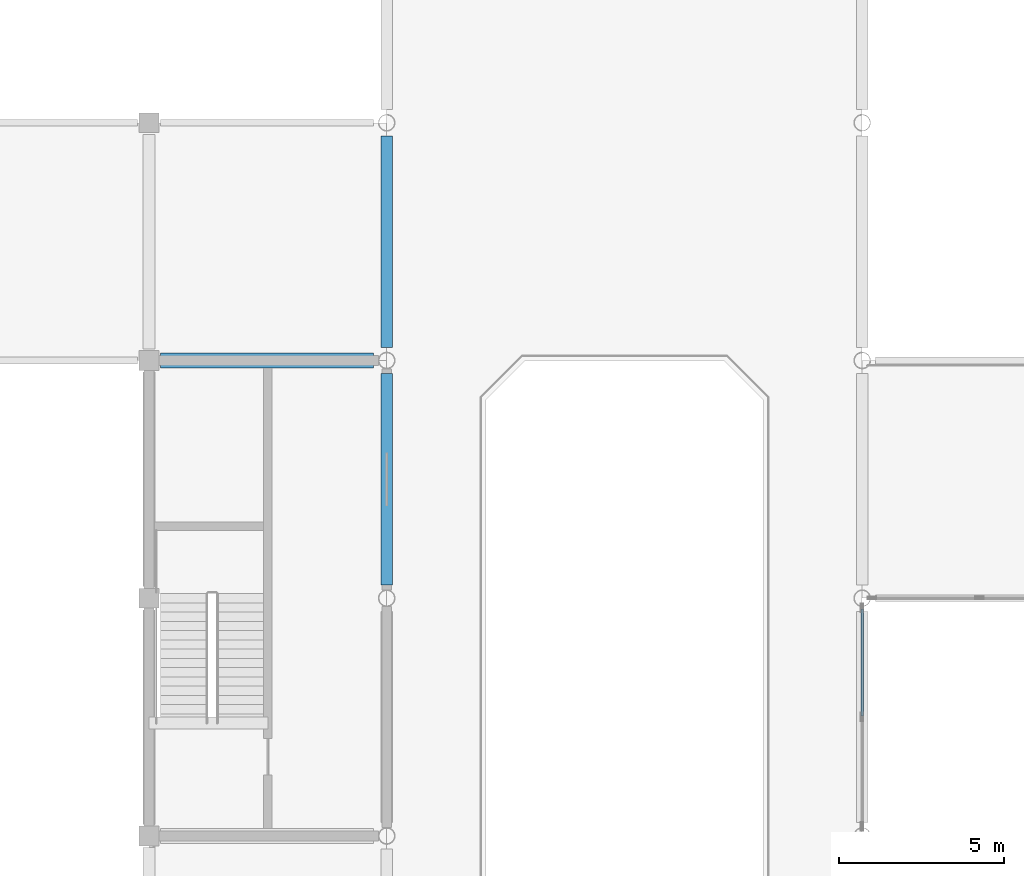
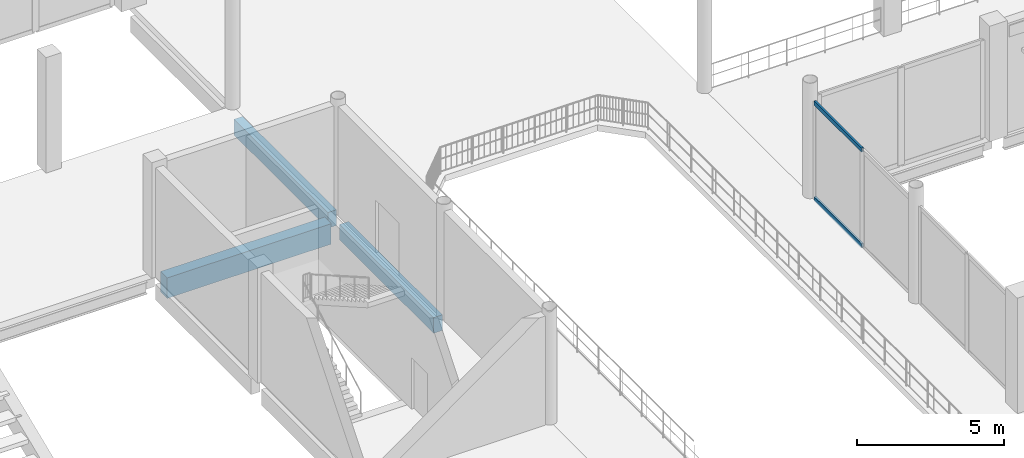
# One storey, part 36 of 99: 3 beams, 2 members, 1 element without a shape of its own.
"""IFC4 building model written with IfcOpenShell, lengths in metres."""

from ifc_helpers import new_model, si_unit, direction, frame, origin, origin_2d, place, context, subcontext, project, spatial, rectangle, hollow_rectangle, extrude, material, material_profile, profile_set, type_object, element, aggregate, save


model = new_model("IFC4")

# Units and contexts
model_context = context("Model", 3, precision=1e-05, world=origin(), true_north=direction((0.0, 1.0)))
body_context = subcontext(model_context, "Body", "Model", "MODEL_VIEW")
ifc_project = project(units=[si_unit("LENGTHUNIT", "METRE"), si_unit("AREAUNIT", "SQUARE_METRE"), si_unit("VOLUMEUNIT", "CUBIC_METRE"), si_unit("PLANEANGLEUNIT", "RADIAN"), si_unit("MASSUNIT", "GRAM", prefix="KILO")], contexts=[model_context])

# Site, building, storey
site_placement = place(None, origin())
site = spatial("IfcSite", under=ifc_project, at=site_placement, CompositionType="ELEMENT")
building_placement = place(site_placement, origin())
building = spatial("IfcBuilding", under=site, at=building_placement, Name="Vesperath Aquatics Centre", CompositionType="ELEMENT")
storey_placement = place(building_placement, frame((0.0, 0.0, 5.39990234375)))
storey = spatial("IfcBuildingStorey", under=building, at=storey_placement, Name="L01", CompositionType="ELEMENT", Elevation=5.39990234375)

# Beams
ifc_material_1 = material(Name="Concrete C35", Category="concrete")
ifc_material_profile_1 = material_profile(ifc_material_1, rectangle(XDim=0.449951171875, YDim=0.85009765625, at=origin_2d()), Name="RC 450x850")
ifc_profile_set_1 = profile_set([ifc_material_profile_1], Name="Concrete C35")
beam_type_1 = type_object("IfcBeamType", Name="BM-G03", PredefinedType="BEAM", material=ifc_profile_set_1)
beam_placement = place(storey_placement, frame((93.949951171875, 72.0, -0.684814453125), z_axis=(1.0, 0.0, 0.0), x_axis=(0.0, 1.0, 0.0)))
element("IfcBeam", 1, at=beam_placement, inside=storey, type_object=beam_type_1, Name="Floor Girder B03 L01 L 14-15", PredefinedType="BEAM", context=body_context, shape_type="SweptSolid", body=[
    extrude(rectangle(XDim=0.449951171875, YDim=0.85009765625, at=origin_2d()), origin(), (0.0, 0.0, 1.0), 6.449951171875),
])
ifc_material_profile_2 = material_profile(ifc_material_1, rectangle(XDim=0.35009765625, YDim=0.64990234375, at=origin_2d()), Name="RC 350x650")
ifc_profile_set_2 = profile_set([ifc_material_profile_2], Name="Concrete C35")
beam_type_2 = type_object("IfcBeamType", Name="BM-G05", PredefinedType="BEAM", material=ifc_profile_set_2)
for number, where, z_axis, x_axis, name in (
    (2, (100.800048828125, 65.199951171875, -0.5849609375), (0.0, 1.0, 0.0), (-1.0, 0.0, 0.0), "Floor Girder B05 L01 15 K-L"),
    (3, (100.800048828125, 72.39990234375, -0.5849609375), (0.0, 1.0, 0.0), (-1.0, 0.0, 0.0), "Floor Girder B05 L01 15 L-M"),
):
    element("IfcBeam", number, at=place(storey_placement, frame(where, z_axis=z_axis, x_axis=x_axis)), inside=storey, type_object=beam_type_2, Name=name, PredefinedType="BEAM", context=body_context, shape_type="SweptSolid", body=[
        extrude(rectangle(XDim=0.35009765625, YDim=0.64990234375, at=origin_2d()), origin(), (0.0, 0.0, 1.0), 6.400146484375),
    ])

# Curtain wall, members
ifc_material_2 = material(Name="Thermally broken anodised bronze aluminium curtain wall", Category="aluminium")
curtain_wall_type = type_object("IfcCurtainWallType", Name="CW-06", PredefinedType="NOTDEFINED", material=ifc_material_2)
curtain_wall_placement = place(storey_placement, origin())
curtain_wall = element("IfcCurtainWall", 4, at=curtain_wall_placement, inside=storey, type_object=curtain_wall_type, Name="Facade Curtain Wall CW06 L01_E_16_08", PredefinedType="NOTDEFINED")
ifc_material_3 = material(Name="Thermally broken anodised aluminium", Category="aluminium")
ifc_material_profile_3 = material_profile(ifc_material_3, hollow_rectangle(XDim=0.074951171875, YDim=0.179931640625, WallThickness=0.0048828125, at=origin_2d()), Name="CWT 75x180x5")
ifc_profile_set_3 = profile_set([ifc_material_profile_3], Name="Thermally broken anodised aluminium")
member_type = type_object("IfcMemberType", Name="MB-CWT1", PredefinedType="USERDEFINED", material=ifc_profile_set_3)
member_1_placement = place(storey_placement, frame((115.199951171875, 61.237548828125, 0.03759765625), z_axis=(0.0, 1.0, 0.0), x_axis=(-1.0, 0.0, 0.0)))
member_1 = element("IfcMember", 5, at=member_1_placement, type_object=member_type, Name="CW06 transom 2.1", ObjectType="TRANSOM", PredefinedType="USERDEFINED", context=body_context, shape_type="SweptSolid", body=[
    extrude(hollow_rectangle(XDim=0.074951171875, YDim=0.179931640625, WallThickness=0.0048828125, at=origin_2d()), origin(), (0.0, 0.0, 1.0), 3.2333984375),
])
member_2_placement = place(storey_placement, frame((115.199951171875, 61.237548828125, 4.0146484375), z_axis=(0.0, 1.0, 0.0), x_axis=(-1.0, 0.0, 0.0)))
member_2 = element("IfcMember", 6, at=member_2_placement, type_object=member_type, Name="CW06 transom 2.2", ObjectType="TRANSOM", PredefinedType="USERDEFINED", context=body_context, shape_type="SweptSolid", body=[
    extrude(hollow_rectangle(XDim=0.074951171875, YDim=0.179931640625, WallThickness=0.0048828125, at=origin_2d()), origin(), (0.0, 0.0, 1.0), 3.2333984375),
])
aggregate(curtain_wall, [member_1, member_2])

save(model, "model.ifc")
